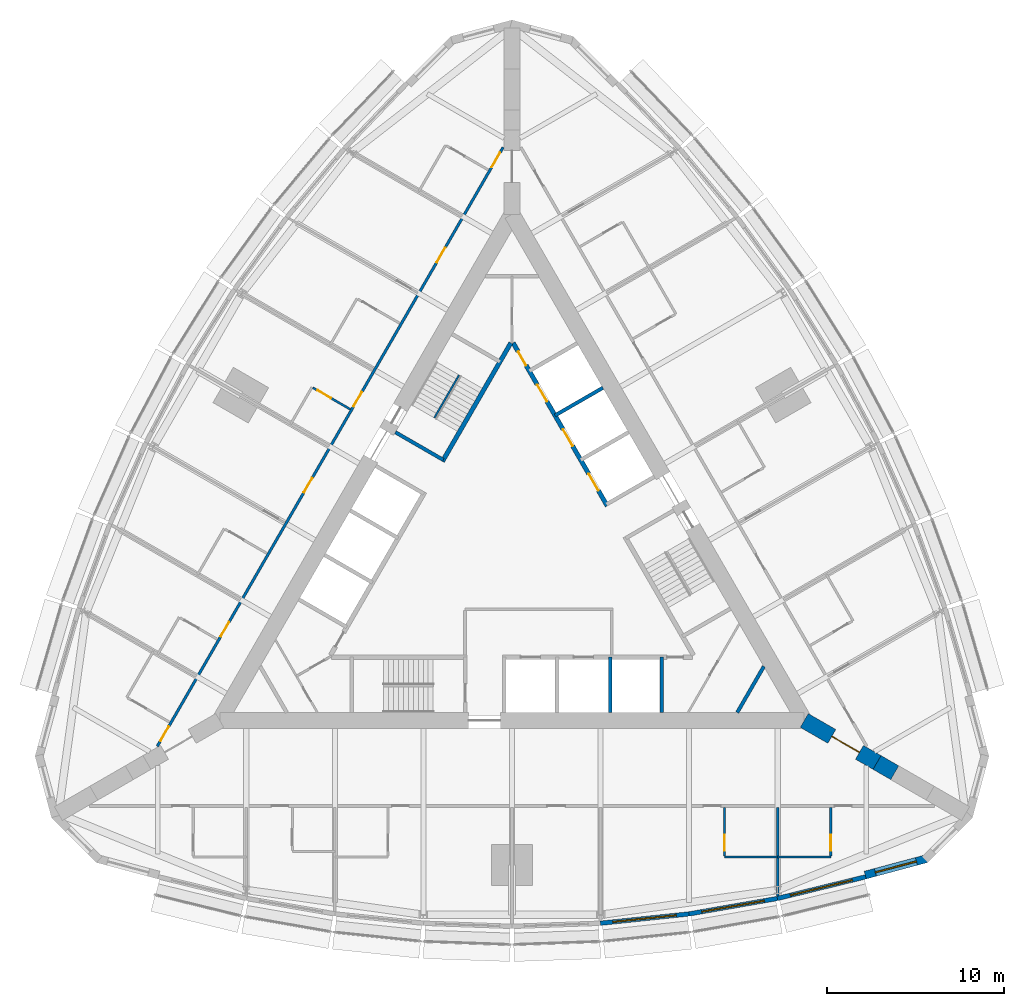
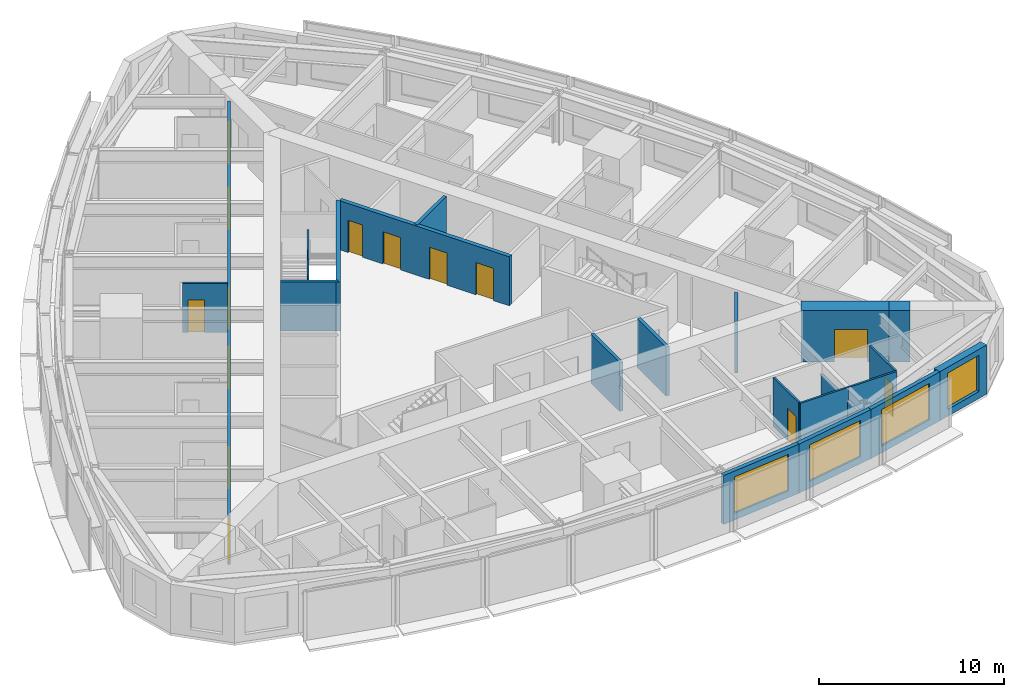
# One storey, part 10 of 14: 21 walls, 14 doors, 4 windows, 18 openings.
"""IFC4 building model written with IfcOpenShell, lengths in metres."""

import ifcopenshell
import ifcopenshell.guid

model = None  # the IFC model being written
_history = None  # IfcOwnerHistory: only IFC2X3 demands one
_inside = {}  # id of a spatial element -> (the spatial element, [elements in it])
_under = {}  # id of a project, library or spatial element -> (it, [spatial elements below it])
_declared = {}  # id of a project -> (the project, [libraries it declares])
_typed = {}  # id of a type object -> (the type object, [elements of that type])
_made_of = {}  # id of a material, layer set ... -> (it, [elements and type objects made of it])


def new_model(schema):
    """Start an empty IFC model of exactly this schema.

    Asked for "IFC4X3", IfcOpenShell would pick the latest addendum, in which some entities
    have other attributes; the version numbers below select the first issue.
    IFC2X3 requires an IfcOwnerHistory on every rooted entity: one is made here for all.
    """
    global model, _history
    if schema == "IFC4X3":
        model = ifcopenshell.file(schema_version=(4, 3, 0, 0))
    else:
        model = ifcopenshell.file(schema=schema)
    _inside.clear()
    _under.clear()
    _declared.clear()
    _typed.clear()
    _made_of.clear()
    _history = None
    if model.schema == "IFC2X3":
        org = make("IfcOrganization", Name="unknown")
        user = make(
            "IfcPersonAndOrganization",
            ThePerson=make("IfcPerson", FamilyName="unknown"),
            TheOrganization=org,
        )
        app = make(
            "IfcApplication",
            ApplicationDeveloper=org,
            Version="unknown",
            ApplicationFullName="unknown",
            ApplicationIdentifier="unknown",
        )
        _history = make(
            "IfcOwnerHistory",
            OwningUser=user,
            OwningApplication=app,
            ChangeAction="ADDED",
            CreationDate=0,
        )
    return model


def make(cls, **values):
    """One entity of the class cls with the attributes given. An attribute that is None is left unset."""
    return model.create_entity(
        cls, **{name: value for name, value in values.items() if value is not None}
    )


def rooted(cls, **values):
    """An entity with a GlobalId (a new one), such as an element, a storey or a relation."""
    return make(cls, GlobalId=ifcopenshell.guid.new(), OwnerHistory=_history, **values)


def si_unit(unit_type, name, prefix=None):
    """IfcSIUnit, for example si_unit("LENGTHUNIT", "METRE", prefix="MILLI")."""
    return make("IfcSIUnit", UnitType=unit_type, Prefix=prefix, Name=name)


def assignment(units):
    """IfcUnitAssignment: the units of a project."""
    return None if units is None else make("IfcUnitAssignment", Units=units)


def point(xyz):
    """IfcCartesianPoint."""
    return None if xyz is None else make("IfcCartesianPoint", Coordinates=xyz)


def direction(xyz):
    """IfcDirection."""
    return None if xyz is None else make("IfcDirection", DirectionRatios=xyz)


def frame(location, z_axis=None, x_axis=None):
    """IfcAxis2Placement3D, a coordinate frame: its origin and axes. An axis left out is left unset."""
    return make(
        "IfcAxis2Placement3D",
        Location=point(location),
        Axis=direction(z_axis),
        RefDirection=direction(x_axis),
    )


def frame_2d(location, x_axis=None):
    """IfcAxis2Placement2D, a coordinate frame in the plane: its origin and x axis."""
    return make(
        "IfcAxis2Placement2D", Location=point(location), RefDirection=direction(x_axis)
    )


def origin():
    """The frame at (0, 0, 0) with its axes left unset."""
    return frame((0.0, 0.0, 0.0))


def place(relative_to, where):
    """IfcLocalPlacement: puts the frame where relative to a parent placement (None: the world)."""
    return make(
        "IfcLocalPlacement", PlacementRelTo=relative_to, RelativePlacement=where
    )


def context(
    kind, dimensions, precision=None, world=None, true_north=None, identifier=None
):
    """IfcGeometricRepresentationContext, for example the 3D "Model" context."""
    return make(
        "IfcGeometricRepresentationContext",
        ContextIdentifier=identifier,
        ContextType=kind,
        CoordinateSpaceDimension=dimensions,
        Precision=precision,
        WorldCoordinateSystem=world,
        TrueNorth=true_north,
    )


def subcontext(parent, identifier, kind, view, scale=None):
    """IfcGeometricRepresentationSubContext, for example "Body" below "Model"."""
    return make(
        "IfcGeometricRepresentationSubContext",
        ContextIdentifier=identifier,
        ContextType=kind,
        ParentContext=parent,
        TargetScale=scale,
        TargetView=view,
    )


def project(units=None, contexts=None):
    """IfcProject with its units and contexts."""
    return rooted(
        "IfcProject",
        Name="project",
        RepresentationContexts=contexts,
        UnitsInContext=assignment(units),
    )


def spatial(cls, under=None, at=None, **own):
    """A site, building, storey or space (cls), placed at a placement, below another one or the project."""
    s = rooted(cls, ObjectPlacement=at, **own)
    if under is not None:
        _under.setdefault(under.id(), (under, []))[1].append(s)
    return s


def profile(cls, at=None, kind="AREA", **sizes):
    """A parametric profile (cls). Its sizes go by their IFC names, for example OverallWidth=200.0."""
    return make(cls, ProfileType=kind, Position=at, **sizes)


def rectangle(**sizes):
    """IfcRectangleProfileDef."""
    return profile("IfcRectangleProfileDef", **sizes)


def extrude(swept, where, along, depth):
    """IfcExtrudedAreaSolid: the profile swept, set in the frame where, extruded along a direction by depth."""
    return make(
        "IfcExtrudedAreaSolid",
        SweptArea=swept,
        Position=where,
        ExtrudedDirection=direction(along),
        Depth=depth,
    )


def shape(context_of_items, identifier, shape_type, items):
    """IfcShapeRepresentation: the items that make up one representation, for example the "Body"."""
    return make(
        "IfcShapeRepresentation",
        ContextOfItems=context_of_items,
        RepresentationIdentifier=identifier,
        RepresentationType=shape_type,
        Items=items,
    )


def material(Name=None, Category=None):
    """IfcMaterial."""
    return make("IfcMaterial", Name=Name, Category=Category)


def layer(
    of_material, thickness, ventilated=None, Name=None, Category=None, Priority=None
):
    """IfcMaterialLayer: one layer of a wall or slab, of a material (None: an air gap)."""
    return make(
        "IfcMaterialLayer",
        Material=of_material,
        LayerThickness=thickness,
        IsVentilated=ventilated,
        Name=Name,
        Category=Category,
        Priority=Priority,
    )


def layer_set(layers, Name=None):
    """IfcMaterialLayerSet."""
    return make("IfcMaterialLayerSet", MaterialLayers=layers, LayerSetName=Name)


def made_of(thing, what):
    """Note that an element or type object is made of a material, layer set ...; save() writes the relation."""
    if what is not None:
        _made_of.setdefault(what.id(), (what, []))[1].append(thing)
    return thing


def type_object(cls, material=None, **own):
    """A type object (cls), such as IfcWallType, which elements share."""
    return made_of(rooted(cls, **own), material)


def element(
    cls,
    number,
    at=None,
    inside=None,
    cuts=None,
    type_object=None,
    material=None,
    context=None,
    identifier="Body",
    shape_type=None,
    held_by="IfcProductDefinitionShape",
    body=None,
    shapes=None,
    **own,
):
    """One element of the class cls, such as IfcWall. Its Tag is "e" and its number.

    at: its placement. inside: the storey or other place that contains it. cuts: it is an
    opening in that element (IfcRelVoidsElement). A single representation is given by context,
    identifier, shape_type and body (its items); several are given by shapes. held_by: the class
    of the entity that holds the representations. save() writes the other relations.
    """
    e = rooted(cls, Tag="e%d" % number, ObjectPlacement=at, **own)
    if body is not None:
        shapes = [shape(context, identifier, shape_type, body)]
    if shapes is not None:
        e.Representation = make(held_by, Representations=shapes)
    if inside is not None:
        _inside.setdefault(inside.id(), (inside, []))[1].append(e)
    if cuts is not None:
        rooted(
            "IfcRelVoidsElement", RelatingBuildingElement=cuts, RelatedOpeningElement=e
        )
    if type_object is not None:
        _typed.setdefault(type_object.id(), (type_object, []))[1].append(e)
    return made_of(e, material)


def fill(opening, filler):
    """IfcRelFillsElement: the door or window that sits in an opening."""
    return rooted(
        "IfcRelFillsElement",
        RelatingOpeningElement=opening,
        RelatedBuildingElement=filler,
    )


def aggregate(whole, parts):
    """IfcRelAggregates: a whole, such as a stair, and the parts it consists of."""
    return rooted("IfcRelAggregates", RelatingObject=whole, RelatedObjects=parts)


def save(model, path):
    """Write the relations noted so far, then the file.

    IfcRelAggregates (storeys below a building ...), IfcRelContainedInSpatialStructure (elements
    in a storey), IfcRelDefinesByType, IfcRelAssociatesMaterial and IfcRelDeclares: one each for
    every whole, place, type object, material and project.
    """
    for whole, parts in _under.values():
        aggregate(whole, parts)
    for where, things in _inside.values():
        rooted(
            "IfcRelContainedInSpatialStructure",
            RelatedElements=things,
            RelatingStructure=where,
        )
    for kind, things in _typed.values():
        rooted("IfcRelDefinesByType", RelatedObjects=things, RelatingType=kind)
    for what, things in _made_of.values():
        rooted("IfcRelAssociatesMaterial", RelatedObjects=things, RelatingMaterial=what)
    for by, libraries in _declared.values():
        rooted("IfcRelDeclares", RelatingContext=by, RelatedDefinitions=libraries)
    model.write(path)


model = new_model("IFC4")

# Units and contexts
model_context = context("Model", 3, precision=1e-05, world=origin(), true_north=direction((0.0, 1.0)))
body_context = subcontext(model_context, "Body", "Model", "MODEL_VIEW")
ifc_project = project(units=[si_unit("LENGTHUNIT", "METRE"), si_unit("AREAUNIT", "SQUARE_METRE"), si_unit("VOLUMEUNIT", "CUBIC_METRE"), si_unit("PLANEANGLEUNIT", "RADIAN"), si_unit("MASSUNIT", "GRAM", prefix="KILO")], contexts=[model_context])

# Site, building, storey
site_placement = place(None, origin())
site = spatial("IfcSite", under=ifc_project, at=site_placement, CompositionType="ELEMENT")
building_placement = place(site_placement, origin())
building = spatial("IfcBuilding", under=site, at=building_placement, Name="Trikona Tower", CompositionType="ELEMENT")
storey_placement = place(building_placement, frame((0.0, 0.0, 179.300048828125)))
storey = spatial("IfcBuildingStorey", under=building, at=storey_placement, Name="L48", CompositionType="ELEMENT", Elevation=179.300048828125)

# Wall
ifc_material_1 = material(Name="Metal stud and cement board", Category="gypsum")
ifc_layer_1 = layer(ifc_material_1, 0.1201171875)
ifc_layer_set_1 = layer_set([ifc_layer_1], Name="Bathroom wall 120")
wall_type_1 = type_object("IfcWallType", Name="Bathroom wall 120", PredefinedType="PLUMBINGWALL", material=ifc_layer_set_1)
wall_1_placement = place(storey_placement, frame((12.0, -17.226318359375, 0.0), z_axis=(0.0, 0.0, 1.0), x_axis=(1.0, 0.0, 0.0)))
element("IfcWall", 1, at=wall_1_placement, inside=storey, type_object=wall_type_1, Name="Bathroom wall 4804", PredefinedType="PLUMBINGWALL", context=body_context, shape_type="SweptSolid", body=[
    extrude(rectangle(XDim=3.0, YDim=0.1201171875, at=frame_2d((1.5, 0.0))), origin(), (0.0, 0.0, 1.0), 3.23486328125),
])

# Wall, opening, door
wall_2_placement = place(storey_placement, frame((12.0, -14.42626953125, 0.0), z_axis=(0.0, 0.0, 1.0), x_axis=(0.0, -1.0, 0.0)))
wall_2 = element("IfcWall", 2, at=wall_2_placement, inside=storey, type_object=wall_type_1, Name="Bathroom wall 4804", PredefinedType="PLUMBINGWALL", context=body_context, shape_type="SweptSolid", body=[
    extrude(rectangle(XDim=2.739990234375, YDim=0.1201171875, at=frame_2d((1.3701171875, 0.0))), origin(), (0.0, 0.0, 1.0), 3.23486328125),
])
opening_1_placement = place(wall_2_placement, frame((1.550048828125, 0.0, 0.0)))
opening_1 = element("IfcOpeningElement", 3, at=opening_1_placement, cuts=wall_2, Name="Opening D2", PredefinedType="OPENING", context=body_context, shape_type="SweptSolid", body=[
    extrude(rectangle(XDim=0.89990234375, YDim=2.1298828125, at=frame_2d((0.449951171875, 1.06494140625))), frame((0.0, 0.070068359375, 0.0), z_axis=(0.0, -1.0, 0.0), x_axis=(1.0, 0.0, 0.0)), (0.0, 0.0, 1.0), 0.14013671875),
])
ifc_material_2 = material(Name="Steel door frame with solid-core timber leaf", Category="steel")
door_type_1 = type_object("IfcDoorType", Name="Bathroom door 900x2130", OperationType="SLIDING_TO_LEFT", PredefinedType="DOOR", material=ifc_material_2)
door_1_placement = place(opening_1_placement, origin())
door_1 = element("IfcDoor", 4, at=door_1_placement, inside=storey, type_object=door_type_1, Name="Bathroom door 4804", OperationType="SLIDING_TO_LEFT", OverallHeight=2.1298828125, OverallWidth=0.89990234375, PredefinedType="DOOR", context=body_context, shape_type="SweptSolid", body=[
    extrude(rectangle(XDim=0.89990234375, YDim=2.1298828125, at=frame_2d((0.449951171875, 1.06494140625))), frame((0.0, 0.02490234375, 0.0), z_axis=(0.0, -1.0, 0.0), x_axis=(1.0, 0.0, 0.0)), (0.0, 0.0, 1.0), 0.050048828125),
])
fill(opening_1, door_1)

# Wall
wall_3_placement = place(storey_placement, frame((15.0, -17.226318359375, 0.0), z_axis=(0.0, 0.0, 1.0), x_axis=(1.0, 0.0, 0.0)))
element("IfcWall", 5, at=wall_3_placement, inside=storey, type_object=wall_type_1, Name="Bathroom wall 4805", PredefinedType="PLUMBINGWALL", context=body_context, shape_type="SweptSolid", body=[
    extrude(rectangle(XDim=3.0, YDim=0.1201171875, at=frame_2d((1.5, 0.0))), origin(), (0.0, 0.0, 1.0), 3.23486328125),
])

# Wall, opening, door
wall_4_placement = place(storey_placement, frame((18.0, -14.42626953125, 0.0), z_axis=(0.0, 0.0, 1.0), x_axis=(0.0, -1.0, 0.0)))
wall_4 = element("IfcWall", 6, at=wall_4_placement, inside=storey, type_object=wall_type_1, Name="Bathroom wall 4805", PredefinedType="PLUMBINGWALL", context=body_context, shape_type="SweptSolid", body=[
    extrude(rectangle(XDim=2.739990234375, YDim=0.1201171875, at=frame_2d((1.3701171875, 0.0))), origin(), (0.0, 0.0, 1.0), 3.23486328125),
])
opening_2_placement = place(wall_4_placement, frame((1.550048828125, 0.0, 0.0)))
opening_2 = element("IfcOpeningElement", 7, at=opening_2_placement, cuts=wall_4, Name="Opening D2", PredefinedType="OPENING", context=body_context, shape_type="SweptSolid", body=[
    extrude(rectangle(XDim=0.89990234375, YDim=2.1298828125, at=frame_2d((0.449951171875, 1.06494140625))), frame((0.0, 0.070068359375, 0.0), z_axis=(0.0, -1.0, 0.0), x_axis=(1.0, 0.0, 0.0)), (0.0, 0.0, 1.0), 0.14013671875),
])
door_2_placement = place(opening_2_placement, origin())
door_2 = element("IfcDoor", 8, at=door_2_placement, inside=storey, type_object=door_type_1, Name="Bathroom door 4805", OperationType="SLIDING_TO_LEFT", OverallHeight=2.1298828125, OverallWidth=0.89990234375, PredefinedType="DOOR", context=body_context, shape_type="SweptSolid", body=[
    extrude(rectangle(XDim=0.89990234375, YDim=2.1298828125, at=frame_2d((0.449951171875, 1.06494140625))), frame((0.0, 0.02490234375, 0.0), z_axis=(0.0, -1.0, 0.0), x_axis=(1.0, 0.0, 0.0)), (0.0, 0.0, 1.0), 0.050048828125),
])
fill(opening_2, door_2)

wall_5_placement = place(storey_placement, frame((-9.12841796875, 8.04150390625, 0.0), z_axis=(0.0, 0.0, 1.0), x_axis=(-0.866005645448, 0.500034220881, 0.0)))
wall_5 = element("IfcWall", 9, at=wall_5_placement, inside=storey, type_object=wall_type_1, Name="Bathroom wall 4812", PredefinedType="PLUMBINGWALL", context=body_context, shape_type="SweptSolid", body=[
    extrude(rectangle(XDim=2.440185546875, YDim=0.1201171875, at=frame_2d((1.22021484375, 0.0))), origin(), (0.0, 0.0, 1.0), 3.23486328125),
])
opening_3_placement = place(wall_5_placement, frame((1.25, 0.0, 0.0)))
opening_3 = element("IfcOpeningElement", 10, at=opening_3_placement, cuts=wall_5, Name="Opening D2", PredefinedType="OPENING", context=body_context, shape_type="SweptSolid", body=[
    extrude(rectangle(XDim=0.89990234375, YDim=2.1298828125, at=frame_2d((0.449951171875, 1.06494140625))), frame((0.0, 0.070068359375, 0.0), z_axis=(0.0, -1.0, 0.0), x_axis=(1.0, 0.0, 0.0)), (0.0, 0.0, 1.0), 0.14013671875),
])
door_3_placement = place(opening_3_placement, origin())
door_3 = element("IfcDoor", 11, at=door_3_placement, inside=storey, type_object=door_type_1, Name="Bathroom door 4812", OperationType="SLIDING_TO_LEFT", OverallHeight=2.1298828125, OverallWidth=0.89990234375, PredefinedType="DOOR", context=body_context, shape_type="SweptSolid", body=[
    extrude(rectangle(XDim=0.89990234375, YDim=2.1298828125, at=frame_2d((0.449951171875, 1.06494140625))), frame((0.0, 0.02490234375, 0.0), z_axis=(0.0, -1.0, 0.0), x_axis=(1.0, 0.0, 0.0)), (0.0, 0.0, 1.0), 0.050048828125),
])
fill(opening_3, door_3)

# Wall, opening, window
ifc_material_3 = material(Name="Brick-faced precast concrete", Category="masonry")
ifc_layer_2 = layer(ifc_material_3, 0.449951171875)
ifc_layer_set_2 = layer_set([ifc_layer_2], Name="Brick-faced corner wall 450")
wall_type_2 = type_object("IfcWallType", Name="Brick-faced corner wall 450", PredefinedType="SOLIDWALL", material=ifc_layer_set_2)
wall_6_placement = place(storey_placement, frame((19.94189453125, -18.2578125, 0.0), z_axis=(0.0, 0.0, 1.0), x_axis=(0.965924653531, 0.258823421857, 0.0)))
wall_6 = element("IfcWall", 12, at=wall_6_placement, inside=storey, type_object=wall_type_2, Name="External wall L48-08", PredefinedType="SOLIDWALL", context=body_context, shape_type="SweptSolid", body=[
    extrude(rectangle(XDim=3.58642578125, YDim=0.449951171875, at=frame_2d((1.793212890625, 0.0))), origin(), (0.0, 0.0, 1.0), 3.23486328125),
])
opening_4_placement = place(wall_6_placement, frame((0.593017578125, 0.0, 0.449951171875)))
opening_4 = element("IfcOpeningElement", 13, at=opening_4_placement, cuts=wall_6, Name="Opening W2424", PredefinedType="OPENING", context=body_context, shape_type="SweptSolid", body=[
    extrude(rectangle(XDim=2.39990234375, YDim=2.39990234375, at=frame_2d((1.199951171875, 1.199951171875))), frame((0.0, 0.23486328125, 0.0), z_axis=(0.0, -1.0, 0.0), x_axis=(1.0, 0.0, 0.0)), (0.0, 0.0, 1.0), 0.469970703125),
])
ifc_material_4 = material(Name="Aluminium-framed double glazing", Category="aluminium")
window_type_1 = type_object("IfcWindowType", Name="Window 2400x2400", PartitioningType="SINGLE_PANEL", PredefinedType="WINDOW", material=ifc_material_4)
window_1_placement = place(opening_4_placement, origin())
window_1 = element("IfcWindow", 14, at=window_1_placement, inside=storey, type_object=window_type_1, Name="Window 4805", OverallHeight=2.39990234375, OverallWidth=2.39990234375, PartitioningType="SINGLE_PANEL", PredefinedType="WINDOW", context=body_context, shape_type="SweptSolid", body=[
    extrude(rectangle(XDim=2.39990234375, YDim=2.39990234375, at=frame_2d((1.199951171875, 1.199951171875))), frame((0.0, 0.030029296875, 0.0), z_axis=(0.0, -1.0, 0.0), x_axis=(1.0, 0.0, 0.0)), (0.0, 0.0, 1.0), 0.06005859375),
])
fill(opening_4, window_1)

# Wall, opening, door
ifc_material_5 = material(Name="Concrete f'c 10000 psi", Category="concrete")
ifc_layer_3 = layer(ifc_material_5, 0.89990234375)
ifc_layer_set_3 = layer_set([ifc_layer_3], Name="Buttress wall 900")
wall_type_3 = type_object("IfcWallType", Name="Buttress wall 900", PredefinedType="SHEAR", material=ifc_layer_set_3)
wall_7_placement = place(storey_placement, frame((16.5, -9.5263671875, 0.0), z_axis=(0.0, 0.0, 1.0), x_axis=(0.866031398331, -0.499989616998, 0.0)))
wall_7 = element("IfcWall", 15, at=wall_7_placement, inside=storey, type_object=wall_type_3, Name="Buttress wall 1", PredefinedType="SHEAR", context=body_context, shape_type="SweptSolid", body=[
    extrude(rectangle(XDim=4.74609375, YDim=0.89990234375, at=frame_2d((2.373046875, 0.0))), origin(), (0.0, 0.0, 1.0), 3.39990234375),
])
opening_5_placement = place(wall_7_placement, frame((1.800048828125, 0.0, 0.0)))
opening_5 = element("IfcOpeningElement", 16, at=opening_5_placement, cuts=wall_7, Name="Opening D10", PredefinedType="OPENING", context=body_context, shape_type="SweptSolid", body=[
    extrude(rectangle(XDim=1.800048828125, YDim=2.1298828125, at=frame_2d((0.89990234375, 1.06494140625))), frame((0.0, 0.4599609375, 0.0), z_axis=(0.0, -1.0, 0.0), x_axis=(1.0, 0.0, 0.0)), (0.0, 0.0, 1.0), 0.919921875),
])
ifc_material_6 = material(Name="Hollow metal door and frame", Category="steel")
door_type_2 = type_object("IfcDoorType", Name="Cross-corridor door pair 1800x2130", OperationType="DOUBLE_DOOR_DOUBLE_SWING", PredefinedType="DOOR", material=ifc_material_6)
door_4_placement = place(opening_5_placement, origin())
door_4 = element("IfcDoor", 17, at=door_4_placement, inside=storey, type_object=door_type_2, Name="Cross-corridor door 1", OperationType="DOUBLE_DOOR_DOUBLE_SWING", OverallHeight=2.1298828125, OverallWidth=1.800048828125, PredefinedType="DOOR", context=body_context, shape_type="SweptSolid", body=[
    extrude(rectangle(XDim=1.800048828125, YDim=2.1298828125, at=frame_2d((0.89990234375, 1.06494140625))), frame((0.0, 0.02490234375, 0.0), z_axis=(0.0, -1.0, 0.0), x_axis=(1.0, 0.0, 0.0)), (0.0, 0.0, 1.0), 0.050048828125),
])
fill(opening_5, door_4)

# Wall
wall_8_placement = place(storey_placement, frame((20.6103515625, -11.8994140625, 0.0), z_axis=(0.0, 0.0, 1.0), x_axis=(0.866009537788, -0.500027479704, 0.0)))
element("IfcWall", 18, at=wall_8_placement, inside=storey, type_object=wall_type_3, Name="Buttress wall 1 part 2", PredefinedType="SHEAR", context=body_context, shape_type="SweptSolid", body=[
    extrude(rectangle(XDim=1.15478515625, YDim=0.89990234375, at=frame_2d((0.577392578125, 0.0))), origin(), (0.0, 0.0, 1.0), 3.39990234375),
])

# Wall, openings, doors
ifc_material_7 = material(Name="Metal stud and gypsum board, 1-hour", Category="gypsum")
ifc_layer_4 = layer(ifc_material_7, 0.14990234375)
ifc_layer_set_4 = layer_set([ifc_layer_4], Name="Corridor wall 150")
wall_type_4 = type_object("IfcWallType", Name="Corridor wall 150", PredefinedType="PARTITIONING", material=ifc_layer_set_4)
wall_9_placement = place(storey_placement, frame((-0.5, 22.83642578125, 0.0), z_axis=(0.0, 0.0, 1.0), x_axis=(-0.500001677587, -0.866024435227, 0.0)))
wall_9 = element("IfcWall", 19, at=wall_9_placement, inside=storey, type_object=wall_type_4, Name="Corridor wall L48-3", PredefinedType="PARTITIONING", context=body_context, shape_type="SweptSolid", body=[
    extrude(rectangle(XDim=39.053955078125, YDim=0.14990234375, at=frame_2d((19.52685546875, 0.0))), origin(), (0.0, 0.0, 1.0), 3.23486328125),
])
opening_6_placement = place(wall_9_placement, frame((0.35205078125, 0.0, 0.0)))
opening_6 = element("IfcOpeningElement", 20, at=opening_6_placement, cuts=wall_9, Name="Opening D1", PredefinedType="OPENING", context=body_context, shape_type="SweptSolid", body=[
    extrude(rectangle(XDim=0.949951171875, YDim=2.1298828125, at=frame_2d((0.47509765625, 1.06494140625))), frame((0.0, 0.0849609375, 0.0), z_axis=(0.0, -1.0, 0.0), x_axis=(1.0, 0.0, 0.0)), (0.0, 0.0, 1.0), 0.169921875),
])
opening_7_placement = place(wall_9_placement, frame((6.552001953125, 0.0, 0.0)))
opening_7 = element("IfcOpeningElement", 21, at=opening_7_placement, cuts=wall_9, Name="Opening D1", PredefinedType="OPENING", context=body_context, shape_type="SweptSolid", body=[
    extrude(rectangle(XDim=0.949951171875, YDim=2.1298828125, at=frame_2d((0.47509765625, 1.06494140625))), frame((0.0, 0.0849609375, 0.0), z_axis=(0.0, -1.0, 0.0), x_axis=(1.0, 0.0, 0.0)), (0.0, 0.0, 1.0), 0.169921875),
])
opening_8_placement = place(wall_9_placement, frame((15.951904296875, 0.0, 0.0)))
opening_8 = element("IfcOpeningElement", 22, at=opening_8_placement, cuts=wall_9, Name="Opening D1", PredefinedType="OPENING", context=body_context, shape_type="SweptSolid", body=[
    extrude(rectangle(XDim=0.949951171875, YDim=2.1298828125, at=frame_2d((0.47509765625, 1.06494140625))), frame((0.0, 0.0849609375, 0.0), z_axis=(0.0, -1.0, 0.0), x_axis=(1.0, 0.0, 0.0)), (0.0, 0.0, 1.0), 0.169921875),
])
opening_9_placement = place(wall_9_placement, frame((21.552001953125, 0.0, 0.0)))
opening_9 = element("IfcOpeningElement", 23, at=opening_9_placement, cuts=wall_9, Name="Opening D1", PredefinedType="OPENING", context=body_context, shape_type="SweptSolid", body=[
    extrude(rectangle(XDim=0.949951171875, YDim=2.1298828125, at=frame_2d((0.47509765625, 1.06494140625))), frame((0.0, 0.0849609375, 0.0), z_axis=(0.0, -1.0, 0.0), x_axis=(1.0, 0.0, 0.0)), (0.0, 0.0, 1.0), 0.169921875),
])
opening_10_placement = place(wall_9_placement, frame((30.951904296875, 0.0, 0.0)))
opening_10 = element("IfcOpeningElement", 24, at=opening_10_placement, cuts=wall_9, Name="Opening D1", PredefinedType="OPENING", context=body_context, shape_type="SweptSolid", body=[
    extrude(rectangle(XDim=0.949951171875, YDim=2.1298828125, at=frame_2d((0.47509765625, 1.06494140625))), frame((0.0, 0.0849609375, 0.0), z_axis=(0.0, -1.0, 0.0), x_axis=(1.0, 0.0, 0.0)), (0.0, 0.0, 1.0), 0.169921875),
])
opening_11_placement = place(wall_9_placement, frame((37.751953125, 0.0, 0.0)))
opening_11 = element("IfcOpeningElement", 25, at=opening_11_placement, cuts=wall_9, Name="Opening D1", PredefinedType="OPENING", context=body_context, shape_type="SweptSolid", body=[
    extrude(rectangle(XDim=0.949951171875, YDim=2.1298828125, at=frame_2d((0.47509765625, 1.06494140625))), frame((0.0, 0.0849609375, 0.0), z_axis=(0.0, -1.0, 0.0), x_axis=(1.0, 0.0, 0.0)), (0.0, 0.0, 1.0), 0.169921875),
])
ifc_material_8 = material(Name="Steel door frame with solid-core timber leaf", Category="steel")
door_type_3 = type_object("IfcDoorType", Name="Guest room door 950x2130", OperationType="SINGLE_SWING_LEFT", PredefinedType="DOOR", material=ifc_material_8)
door_5_placement = place(opening_6_placement, origin())
door_5 = element("IfcDoor", 26, at=door_5_placement, inside=storey, type_object=door_type_3, Name="Room door 4810", OperationType="SINGLE_SWING_LEFT", OverallHeight=2.1298828125, OverallWidth=0.949951171875, PredefinedType="DOOR", context=body_context, shape_type="SweptSolid", body=[
    extrude(rectangle(XDim=0.949951171875, YDim=2.1298828125, at=frame_2d((0.47509765625, 1.06494140625))), frame((0.0, 0.02490234375, 0.0), z_axis=(0.0, -1.0, 0.0), x_axis=(1.0, 0.0, 0.0)), (0.0, 0.0, 1.0), 0.050048828125),
])
fill(opening_6, door_5)
door_6_placement = place(opening_7_placement, origin())
door_6 = element("IfcDoor", 27, at=door_6_placement, inside=storey, type_object=door_type_3, Name="Room door 4811", OperationType="SINGLE_SWING_RIGHT", OverallHeight=2.1298828125, OverallWidth=0.949951171875, PredefinedType="DOOR", context=body_context, shape_type="SweptSolid", body=[
    extrude(rectangle(XDim=0.949951171875, YDim=2.1298828125, at=frame_2d((0.47509765625, 1.06494140625))), frame((0.0, 0.02490234375, 0.0), z_axis=(0.0, -1.0, 0.0), x_axis=(1.0, 0.0, 0.0)), (0.0, 0.0, 1.0), 0.050048828125),
])
fill(opening_7, door_6)
door_7_placement = place(opening_8_placement, origin())
door_7 = element("IfcDoor", 28, at=door_7_placement, inside=storey, type_object=door_type_3, Name="Room door 4812", OperationType="SINGLE_SWING_LEFT", OverallHeight=2.1298828125, OverallWidth=0.949951171875, PredefinedType="DOOR", context=body_context, shape_type="SweptSolid", body=[
    extrude(rectangle(XDim=0.949951171875, YDim=2.1298828125, at=frame_2d((0.47509765625, 1.06494140625))), frame((0.0, 0.02490234375, 0.0), z_axis=(0.0, -1.0, 0.0), x_axis=(1.0, 0.0, 0.0)), (0.0, 0.0, 1.0), 0.050048828125),
])
fill(opening_8, door_7)
door_8_placement = place(opening_9_placement, origin())
door_8 = element("IfcDoor", 29, at=door_8_placement, inside=storey, type_object=door_type_3, Name="Room door 4813", OperationType="SINGLE_SWING_RIGHT", OverallHeight=2.1298828125, OverallWidth=0.949951171875, PredefinedType="DOOR", context=body_context, shape_type="SweptSolid", body=[
    extrude(rectangle(XDim=0.949951171875, YDim=2.1298828125, at=frame_2d((0.47509765625, 1.06494140625))), frame((0.0, 0.02490234375, 0.0), z_axis=(0.0, -1.0, 0.0), x_axis=(1.0, 0.0, 0.0)), (0.0, 0.0, 1.0), 0.050048828125),
])
fill(opening_9, door_8)
door_9_placement = place(opening_10_placement, origin())
door_9 = element("IfcDoor", 30, at=door_9_placement, inside=storey, type_object=door_type_3, Name="Room door 4814", OperationType="SINGLE_SWING_LEFT", OverallHeight=2.1298828125, OverallWidth=0.949951171875, PredefinedType="DOOR", context=body_context, shape_type="SweptSolid", body=[
    extrude(rectangle(XDim=0.949951171875, YDim=2.1298828125, at=frame_2d((0.47509765625, 1.06494140625))), frame((0.0, 0.02490234375, 0.0), z_axis=(0.0, -1.0, 0.0), x_axis=(1.0, 0.0, 0.0)), (0.0, 0.0, 1.0), 0.050048828125),
])
fill(opening_10, door_9)
door_10_placement = place(opening_11_placement, origin())
door_10 = element("IfcDoor", 31, at=door_10_placement, inside=storey, type_object=door_type_3, Name="Room door 4815", OperationType="SINGLE_SWING_RIGHT", OverallHeight=2.1298828125, OverallWidth=0.949951171875, PredefinedType="DOOR", context=body_context, shape_type="SweptSolid", body=[
    extrude(rectangle(XDim=0.949951171875, YDim=2.1298828125, at=frame_2d((0.47509765625, 1.06494140625))), frame((0.0, 0.02490234375, 0.0), z_axis=(0.0, -1.0, 0.0), x_axis=(1.0, 0.0, 0.0)), (0.0, 0.0, 1.0), 0.050048828125),
])
fill(opening_11, door_10)

ifc_material_9 = material(Name="Concrete f'c 8000 psi", Category="concrete")
ifc_layer_5 = layer(ifc_material_9, 0.25)
ifc_layer_set_5 = layer_set([ifc_layer_5], Name="Hub wall 250")
wall_type_5 = type_object("IfcWallType", Name="Hub wall 250", PredefinedType="SOLIDWALL", material=ifc_layer_set_5)
wall_10_placement = place(storey_placement, frame((5.37890625, 2.5859375, 0.0), z_axis=(0.0, 0.0, 1.0), x_axis=(-0.500001375892, 0.866024609411, 0.0)))
wall_10 = element("IfcWall", 32, at=wall_10_placement, inside=storey, type_object=wall_type_5, Name="Lift lobby wall B2", PredefinedType="SOLIDWALL", context=body_context, shape_type="SweptSolid", body=[
    extrude(rectangle(XDim=10.6328125, YDim=0.25, at=frame_2d((5.31640625, 0.0))), origin(), (0.0, 0.0, 1.0), 3.23486328125),
])
opening_12_placement = place(wall_10_placement, frame((9.1640625, 0.0, 0.0)))
opening_12 = element("IfcOpeningElement", 33, at=opening_12_placement, cuts=wall_10, Name="Opening D14", PredefinedType="OPENING", context=body_context, shape_type="SweptSolid", body=[
    extrude(rectangle(XDim=0.89990234375, YDim=2.1298828125, at=frame_2d((0.449951171875, 1.06494140625))), frame((0.0, 0.135009765625, 0.0), z_axis=(0.0, -1.0, 0.0), x_axis=(1.0, 0.0, 0.0)), (0.0, 0.0, 1.0), 0.27001953125),
])
opening_13_placement = place(wall_10_placement, frame((1.0, 0.0, 0.0)))
opening_13 = element("IfcOpeningElement", 34, at=opening_13_placement, cuts=wall_10, Name="Opening LD", PredefinedType="OPENING", context=body_context, shape_type="SweptSolid", body=[
    extrude(rectangle(XDim=1.10009765625, YDim=2.1298828125, at=frame_2d((0.550048828125, 1.06494140625))), frame((0.0, 0.135009765625, 0.0), z_axis=(0.0, -1.0, 0.0), x_axis=(1.0, 0.0, 0.0)), (0.0, 0.0, 1.0), 0.27001953125),
])
opening_14_placement = place(wall_10_placement, frame((3.89990234375, 0.0, 0.0)))
opening_14 = element("IfcOpeningElement", 35, at=opening_14_placement, cuts=wall_10, Name="Opening LD", PredefinedType="OPENING", context=body_context, shape_type="SweptSolid", body=[
    extrude(rectangle(XDim=1.10009765625, YDim=2.1298828125, at=frame_2d((0.550048828125, 1.06494140625))), frame((0.0, 0.135009765625, 0.0), z_axis=(0.0, -1.0, 0.0), x_axis=(1.0, 0.0, 0.0)), (0.0, 0.0, 1.0), 0.27001953125),
])
opening_15_placement = place(wall_10_placement, frame((6.800048828125, 0.0, 0.0)))
opening_15 = element("IfcOpeningElement", 36, at=opening_15_placement, cuts=wall_10, Name="Opening LD", PredefinedType="OPENING", context=body_context, shape_type="SweptSolid", body=[
    extrude(rectangle(XDim=1.10009765625, YDim=2.1298828125, at=frame_2d((0.550048828125, 1.06494140625))), frame((0.0, 0.135009765625, 0.0), z_axis=(0.0, -1.0, 0.0), x_axis=(1.0, 0.0, 0.0)), (0.0, 0.0, 1.0), 0.27001953125),
])
ifc_material_10 = material(Name="Stainless steel lift landing door", Category="steel")
door_type_4 = type_object("IfcDoorType", Name="Lift landing door 1100x2130", OperationType="DOUBLE_DOOR_SLIDING", PredefinedType="USERDEFINED", material=ifc_material_10)
door_11_placement = place(opening_13_placement, origin())
door_11 = element("IfcDoor", 37, at=door_11_placement, inside=storey, type_object=door_type_4, Name="Lift landing door L2-1", ObjectType="LIFT LANDING DOOR", OperationType="DOUBLE_DOOR_SLIDING", OverallHeight=2.1298828125, OverallWidth=1.10009765625, PredefinedType="USERDEFINED", context=body_context, shape_type="SweptSolid", body=[
    extrude(rectangle(XDim=1.10009765625, YDim=2.1298828125, at=frame_2d((0.550048828125, 1.06494140625))), frame((0.0, 0.02490234375, 0.0), z_axis=(0.0, -1.0, 0.0), x_axis=(1.0, 0.0, 0.0)), (0.0, 0.0, 1.0), 0.050048828125),
])
fill(opening_13, door_11)
door_12_placement = place(opening_14_placement, origin())
door_12 = element("IfcDoor", 38, at=door_12_placement, inside=storey, type_object=door_type_4, Name="Lift landing door L2-2", ObjectType="LIFT LANDING DOOR", OperationType="DOUBLE_DOOR_SLIDING", OverallHeight=2.1298828125, OverallWidth=1.10009765625, PredefinedType="USERDEFINED", context=body_context, shape_type="SweptSolid", body=[
    extrude(rectangle(XDim=1.10009765625, YDim=2.1298828125, at=frame_2d((0.550048828125, 1.06494140625))), frame((0.0, 0.02490234375, 0.0), z_axis=(0.0, -1.0, 0.0), x_axis=(1.0, 0.0, 0.0)), (0.0, 0.0, 1.0), 0.050048828125),
])
fill(opening_14, door_12)
door_13_placement = place(opening_15_placement, origin())
door_13 = element("IfcDoor", 39, at=door_13_placement, inside=storey, type_object=door_type_4, Name="Lift landing door L2-3", ObjectType="LIFT LANDING DOOR", OperationType="DOUBLE_DOOR_SLIDING", OverallHeight=2.1298828125, OverallWidth=1.10009765625, PredefinedType="USERDEFINED", context=body_context, shape_type="SweptSolid", body=[
    extrude(rectangle(XDim=1.10009765625, YDim=2.1298828125, at=frame_2d((0.550048828125, 1.06494140625))), frame((0.0, 0.02490234375, 0.0), z_axis=(0.0, -1.0, 0.0), x_axis=(1.0, 0.0, 0.0)), (0.0, 0.0, 1.0), 0.050048828125),
])
fill(opening_15, door_13)
ifc_material_11 = material(Name="Hollow metal door and frame", Category="steel")
door_type_5 = type_object("IfcDoorType", Name="Service room door 900x2130", OperationType="SINGLE_SWING_LEFT", PredefinedType="DOOR", material=ifc_material_11)
door_14_placement = place(opening_12_placement, origin())
door_14 = element("IfcDoor", 40, at=door_14_placement, inside=storey, type_object=door_type_5, Name="Door Linen store LIN", OperationType="SINGLE_SWING_RIGHT", OverallHeight=2.1298828125, OverallWidth=0.89990234375, PredefinedType="DOOR", context=body_context, shape_type="SweptSolid", body=[
    extrude(rectangle(XDim=0.89990234375, YDim=2.1298828125, at=frame_2d((0.449951171875, 1.06494140625))), frame((0.0, 0.02490234375, 0.0), z_axis=(0.0, -1.0, 0.0), x_axis=(1.0, 0.0, 0.0)), (0.0, 0.0, 1.0), 0.050048828125),
])
fill(opening_12, door_14)

# Wall
wall_11_placement = place(storey_placement, frame((-0.0625, 11.794189453125, 0.0), z_axis=(0.0, 0.0, 1.0), x_axis=(-0.500006680225, -0.86602154692, 0.0)))
element("IfcWall", 41, at=wall_11_placement, inside=storey, type_object=wall_type_5, Name="Lift lobby wall C1", PredefinedType="SOLIDWALL", context=body_context, shape_type="SweptSolid", body=[
    extrude(rectangle(XDim=7.73291015625, YDim=0.25, at=frame_2d((3.866455078125, 0.0))), origin(), (0.0, 0.0, 1.0), 3.23486328125),
])

# Wall, opening, window
ifc_material_12 = material(Name="Insulated precast concrete spandrel panel", Category="concrete")
ifc_layer_6 = layer(ifc_material_12, 0.25)
ifc_layer_set_6 = layer_set([ifc_layer_6], Name="Inner skin wall 250")
wall_type_6 = type_object("IfcWallType", Name="Inner skin wall 250", PredefinedType="STANDARD", material=ifc_layer_set_6)
wall_12_placement = place(storey_placement, frame((4.98681640625, -20.975830078125, 0.0), z_axis=(0.0, 0.0, 1.0), x_axis=(0.994534683851, 0.104406717299, 0.0)))
wall_12 = element("IfcWall", 42, at=wall_12_placement, inside=storey, type_object=wall_type_6, Name="External wall L48-05", PredefinedType="STANDARD", context=body_context, shape_type="SweptSolid", body=[
    extrude(rectangle(XDim=5.027587890625, YDim=0.25, at=frame_2d((2.513671875, 0.0))), origin(), (0.0, 0.0, 1.0), 3.23486328125),
])
opening_16_placement = place(wall_12_placement, frame((0.713623046875, 0.0, 0.449951171875)))
opening_16 = element("IfcOpeningElement", 43, at=opening_16_placement, cuts=wall_12, Name="Opening W3624", PredefinedType="OPENING", context=body_context, shape_type="SweptSolid", body=[
    extrude(rectangle(XDim=3.60009765625, YDim=2.39990234375, at=frame_2d((1.800048828125, 1.199951171875))), frame((0.0, 0.135009765625, 0.0), z_axis=(0.0, -1.0, 0.0), x_axis=(1.0, 0.0, 0.0)), (0.0, 0.0, 1.0), 0.27001953125),
])
ifc_material_13 = material(Name="Aluminium-framed double glazing", Category="aluminium")
window_type_2 = type_object("IfcWindowType", Name="Window 3600x2400", PartitioningType="SINGLE_PANEL", PredefinedType="WINDOW", material=ifc_material_13)
window_2_placement = place(opening_16_placement, origin())
window_2 = element("IfcWindow", 44, at=window_2_placement, inside=storey, type_object=window_type_2, Name="Window 4804", OverallHeight=2.39990234375, OverallWidth=3.60009765625, PartitioningType="SINGLE_PANEL", PredefinedType="WINDOW", context=body_context, shape_type="SweptSolid", body=[
    extrude(rectangle(XDim=3.60009765625, YDim=2.39990234375, at=frame_2d((1.800048828125, 1.199951171875))), frame((0.0, 0.030029296875, 0.0), z_axis=(0.0, -1.0, 0.0), x_axis=(1.0, 0.0, 0.0)), (0.0, 0.0, 1.0), 0.06005859375),
])
fill(opening_16, window_2)

wall_13_placement = place(storey_placement, frame((9.978515625, -20.4521484375, 0.0), z_axis=(0.0, 0.0, 1.0), x_axis=(0.985030467156, 0.172380331752, 0.0)))
wall_13 = element("IfcWall", 45, at=wall_13_placement, inside=storey, type_object=wall_type_6, Name="External wall L48-06", PredefinedType="STANDARD", context=body_context, shape_type="SweptSolid", body=[
    extrude(rectangle(XDim=5.075927734375, YDim=0.25, at=frame_2d((2.5380859375, 0.0))), origin(), (0.0, 0.0, 1.0), 3.23486328125),
])
opening_17_placement = place(wall_13_placement, frame((0.738037109375, 0.0, 0.449951171875)))
opening_17 = element("IfcOpeningElement", 46, at=opening_17_placement, cuts=wall_13, Name="Opening W3624", PredefinedType="OPENING", context=body_context, shape_type="SweptSolid", body=[
    extrude(rectangle(XDim=3.60009765625, YDim=2.39990234375, at=frame_2d((1.800048828125, 1.199951171875))), frame((0.0, 0.135009765625, 0.0), z_axis=(0.0, -1.0, 0.0), x_axis=(1.0, 0.0, 0.0)), (0.0, 0.0, 1.0), 0.27001953125),
])
window_3_placement = place(opening_17_placement, origin())
window_3 = element("IfcWindow", 47, at=window_3_placement, inside=storey, type_object=window_type_2, Name="Window 4804", OverallHeight=2.39990234375, OverallWidth=3.60009765625, PartitioningType="SINGLE_PANEL", PredefinedType="WINDOW", context=body_context, shape_type="SweptSolid", body=[
    extrude(rectangle(XDim=3.60009765625, YDim=2.39990234375, at=frame_2d((1.800048828125, 1.199951171875))), frame((0.0, 0.030029296875, 0.0), z_axis=(0.0, -1.0, 0.0), x_axis=(1.0, 0.0, 0.0)), (0.0, 0.0, 1.0), 0.06005859375),
])
fill(opening_17, window_3)

wall_14_placement = place(storey_placement, frame((14.97021484375, -19.578857421875, 0.0), z_axis=(0.0, 0.0, 1.0), x_axis=(0.971270024053, 0.237980126011, 0.0)))
wall_14 = element("IfcWall", 48, at=wall_14_placement, inside=storey, type_object=wall_type_6, Name="External wall L48-07", PredefinedType="STANDARD", context=body_context, shape_type="SweptSolid", body=[
    extrude(rectangle(XDim=5.14794921875, YDim=0.25, at=frame_2d((2.573974609375, 0.0))), origin(), (0.0, 0.0, 1.0), 3.23486328125),
])
opening_18_placement = place(wall_14_placement, frame((0.77392578125, 0.0, 0.449951171875)))
opening_18 = element("IfcOpeningElement", 49, at=opening_18_placement, cuts=wall_14, Name="Opening W3624", PredefinedType="OPENING", context=body_context, shape_type="SweptSolid", body=[
    extrude(rectangle(XDim=3.60009765625, YDim=2.39990234375, at=frame_2d((1.800048828125, 1.199951171875))), frame((0.0, 0.135009765625, 0.0), z_axis=(0.0, -1.0, 0.0), x_axis=(1.0, 0.0, 0.0)), (0.0, 0.0, 1.0), 0.27001953125),
])
window_4_placement = place(opening_18_placement, origin())
window_4 = element("IfcWindow", 50, at=window_4_placement, inside=storey, type_object=window_type_2, Name="Window 4805", OverallHeight=2.39990234375, OverallWidth=3.60009765625, PartitioningType="SINGLE_PANEL", PredefinedType="WINDOW", context=body_context, shape_type="SweptSolid", body=[
    extrude(rectangle(XDim=3.60009765625, YDim=2.39990234375, at=frame_2d((1.800048828125, 1.199951171875))), frame((0.0, 0.030029296875, 0.0), z_axis=(0.0, -1.0, 0.0), x_axis=(1.0, 0.0, 0.0)), (0.0, 0.0, 1.0), 0.06005859375),
])
fill(opening_18, window_4)

# Walls
ifc_material_14 = material(Name="Metal stud and gypsum board, 1-hour acoustic", Category="gypsum")
ifc_layer_7 = layer(ifc_material_14, 0.14990234375)
ifc_layer_set_7 = layer_set([ifc_layer_7], Name="Party wall 150")
wall_type_7 = type_object("IfcWallType", Name="Party wall 150", PredefinedType="PARTITIONING", material=ifc_layer_set_7)
wall_15_placement = place(storey_placement, frame((15.0, -14.42626953125, 0.0), z_axis=(0.0, 0.0, 1.0), x_axis=(0.0, -1.0, 0.0)))
element("IfcWall", 51, at=wall_15_placement, inside=storey, type_object=wall_type_7, Name="Partition L48 F1 u15", PredefinedType="PARTITIONING", context=body_context, shape_type="SweptSolid", body=[
    extrude(rectangle(XDim=5.0166015625, YDim=0.14990234375, at=frame_2d((2.50830078125, 0.0))), origin(), (0.0, 0.0, 1.0), 2.38916015625),
])
ifc_material_15 = material(Name="Concrete f'c 8000 psi", Category="concrete")
ifc_layer_8 = layer(ifc_material_15, 0.199951171875)
ifc_layer_set_8 = layer_set([ifc_layer_8], Name="Shaft wall 200")
wall_type_8 = type_object("IfcWallType", Name="Shaft wall 200", PredefinedType="SOLIDWALL", material=ifc_layer_set_8)
for number, where, z_axis, x_axis, name in (
    (52, (5.550048828125, -5.951416015625, 0.0), (0.0, 0.0, 1.0), (0.0, -1.0, 0.0), "Shaft wall A5"),
    (53, (8.449951171875, -5.951416015625, 0.0), (0.0, 0.0, 1.0), (0.0, -1.0, 0.0), "Shaft wall A6"),
    (54, (2.428955078125, 7.695556640625, 0.0), (0.0, 0.0, 1.0), (0.866022959057, 0.500004234368, 0.0), "Shaft wall B5"),
):
    element("IfcWall", number, at=place(storey_placement, frame(where, z_axis=z_axis, x_axis=x_axis)), inside=storey, type_object=wall_type_8, Name=name, PredefinedType="SOLIDWALL", context=body_context, shape_type="SweptSolid", body=[
        extrude(rectangle(XDim=3.125, YDim=0.199951171875, at=frame_2d((1.5625, 0.0))), origin(), (0.0, 0.0, 1.0), 3.23486328125),
    ])
wall_16_placement = place(storey_placement, frame((14.219482421875, -6.476318359375, 0.0), z_axis=(0.0, 0.0, 1.0), x_axis=(-0.499952404951, -0.866052881055, 0.0)))
element("IfcWall", 55, at=wall_16_placement, inside=storey, type_object=wall_type_8, Name="Riser wall L48-RS1", PredefinedType="SOLIDWALL", context=body_context, shape_type="SweptSolid", body=[
    extrude(rectangle(XDim=3.002197265625, YDim=0.199951171875, at=frame_2d((1.5009765625, 0.0))), origin(), (0.0, 0.0, 1.0), 3.23486328125),
])
ifc_material_16 = material(Name="Concrete f'c 8000 psi", Category="concrete")
ifc_layer_9 = layer(ifc_material_16, 0.199951171875)
ifc_layer_set_9 = layer_set([ifc_layer_9], Name="Shaft wall 200 load-bearing")
wall_type_9 = type_object("IfcWallType", Name="Shaft wall 200 load-bearing", PredefinedType="SOLIDWALL", material=ifc_layer_set_9)
wall_17_placement = place(storey_placement, frame((-3.87890625, 5.18408203125, 0.0), z_axis=(0.0, 0.0, 1.0), x_axis=(-0.866022959057, 0.500004234368, 0.0)))
element("IfcWall", 56, at=wall_17_placement, inside=storey, type_object=wall_type_9, Name="Shaft wall C2", PredefinedType="SOLIDWALL", context=body_context, shape_type="SweptSolid", body=[
    extrude(rectangle(XDim=3.125, YDim=0.199951171875, at=frame_2d((1.5625, 0.0))), origin(), (0.0, 0.0, 1.0), 3.23486328125),
])
ifc_material_17 = material(Name="Concrete f'c 5000 psi", Category="concrete")
ifc_layer_10 = layer(ifc_material_17, 0.10009765625)
ifc_layer_set_10 = layer_set([ifc_layer_10], Name="Stair spine wall 100")
wall_type_10 = type_object("IfcWallType", Name="Stair spine wall 100", PredefinedType="SOLIDWALL", material=ifc_layer_set_10)
wall_18_placement = place(storey_placement, frame((-2.98779296875, 9.9775390625, 0.0), z_axis=(0.0, 0.0, 1.0), x_axis=(-0.499992232847, -0.866029888106, 0.0)))
element("IfcWall", 57, at=wall_18_placement, inside=storey, type_object=wall_type_10, Name="Stair C spine wall L48", PredefinedType="SOLIDWALL", context=body_context, shape_type="SweptSolid", body=[
    extrude(rectangle(XDim=2.7939453125, YDim=0.10009765625, at=frame_2d((1.39697265625, 0.0))), origin(), (0.0, 0.0, 1.0), 3.39990234375),
])

save(model, "model.ifc")
